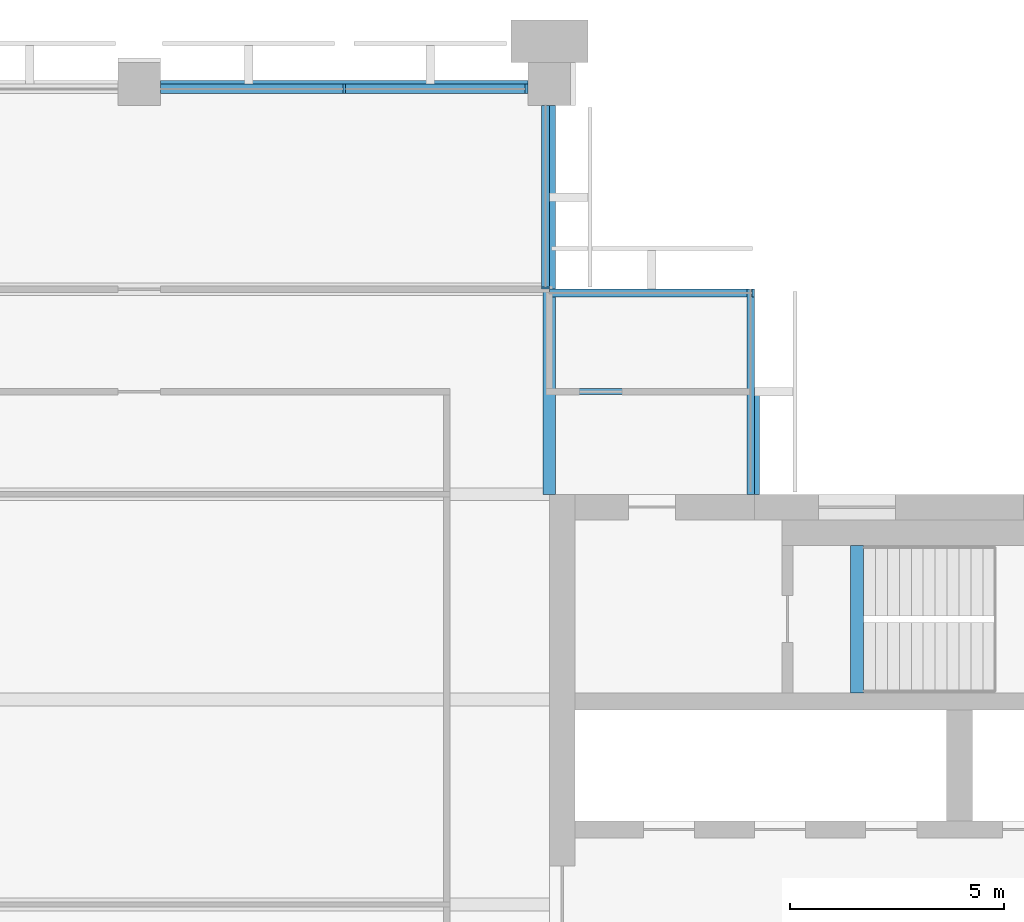
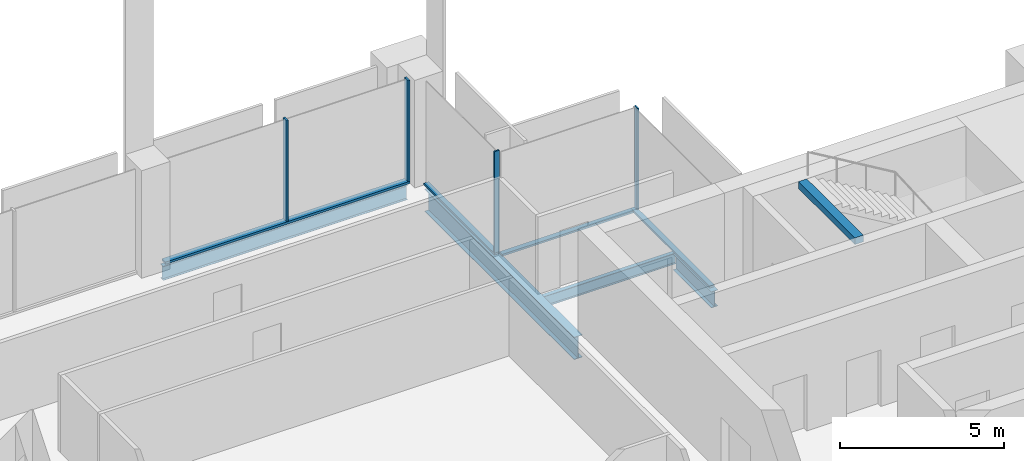
# One storey, part 6 of 12: 8 members, 5 beams, 4 elements without a shape of their own.
"""IFC4 building model written with IfcOpenShell, lengths in metres."""

from ifc_helpers import new_model, si_unit, direction, frame, origin, origin_2d, place, context, subcontext, project, spatial, rectangle, i_section, extrude, material, material_profile, profile_set, type_object, element, aggregate, save


model = new_model("IFC4")

# Units and contexts
model_context = context("Model", 3, precision=1e-05, world=origin(), true_north=direction((0.0, 1.0)))
body_context = subcontext(model_context, "Body", "Model", "MODEL_VIEW")
ifc_project = project(units=[si_unit("LENGTHUNIT", "METRE"), si_unit("AREAUNIT", "SQUARE_METRE"), si_unit("VOLUMEUNIT", "CUBIC_METRE"), si_unit("PLANEANGLEUNIT", "RADIAN"), si_unit("MASSUNIT", "GRAM", prefix="KILO")], contexts=[model_context])

# Site, building, storey
site_placement = place(None, origin())
site = spatial("IfcSite", under=ifc_project, at=site_placement, CompositionType="ELEMENT")
building_placement = place(site_placement, origin())
building = spatial("IfcBuilding", under=site, at=building_placement, Name="Baori Bourse Tower", CompositionType="ELEMENT")
storey_placement = place(building_placement, frame((0.0, 0.0, 342.300048828125)))
storey = spatial("IfcBuildingStorey", under=building, at=storey_placement, Name="L76", CompositionType="ELEMENT", Elevation=342.300048828125)

# Curtain wall, member
ifc_material_1 = material(Name="Pale anodised aluminium", Category="aluminium")
curtain_wall_type_1 = type_object("IfcCurtainWallType", Name="CW2 Curtain wall", PredefinedType="NOTDEFINED", material=ifc_material_1)
curtain_wall_1_placement = place(storey_placement, origin())
curtain_wall_1 = element("IfcCurtainWall", 1, at=curtain_wall_1_placement, inside=storey, type_object=curtain_wall_type_1, Name="Curtain wall CW2 L76 2", PredefinedType="NOTDEFINED")
ifc_material_2 = material(Name="Pale anodised aluminium", Category="aluminium")
ifc_material_profile_1 = material_profile(ifc_material_2, rectangle(XDim=0.179931640625, YDim=0.054931640625, at=origin_2d()), Name="Mullion 55x180")
ifc_profile_set_1 = profile_set([ifc_material_profile_1], Name="Pale anodised aluminium")
member_type_1 = type_object("IfcMemberType", Name="CW2 Curtain wall mullion", PredefinedType="MULLION", material=ifc_profile_set_1)
member_1_placement = place(storey_placement, frame((43.172607421875, 43.110107421875, 0.070068359375), z_axis=(0.0, 0.0, 1.0), x_axis=(0.0, -1.0, 0.0)))
member_1 = element("IfcMember", 2, at=member_1_placement, type_object=member_type_1, Name="Curtain wall CW2 mullion", PredefinedType="MULLION", context=body_context, shape_type="SweptSolid", body=[
    extrude(rectangle(XDim=0.179931640625, YDim=0.054931640625, at=origin_2d()), origin(), (0.0, 0.0, 1.0), 3.769775390625),
])

curtain_wall_2_placement = place(storey_placement, origin())
curtain_wall_2 = element("IfcCurtainWall", 3, at=curtain_wall_2_placement, inside=storey, type_object=curtain_wall_type_1, Name="Curtain wall CW2 L76 3", PredefinedType="NOTDEFINED")
member_2_placement = place(storey_placement, frame((38.31005859375, 43.2275390625, 0.070068359375), z_axis=(0.0, 0.0, 1.0), x_axis=(-1.0, 0.0, 0.0)))
member_2 = element("IfcMember", 4, at=member_2_placement, type_object=member_type_1, Name="Curtain wall CW2 mullion", PredefinedType="MULLION", context=body_context, shape_type="SweptSolid", body=[
    extrude(rectangle(XDim=0.179931640625, YDim=0.054931640625, at=origin_2d()), origin(), (0.0, 0.0, 1.0), 3.769775390625),
])

curtain_wall_3_placement = place(storey_placement, origin())
curtain_wall_3 = element("IfcCurtainWall", 5, at=curtain_wall_3_placement, inside=storey, type_object=curtain_wall_type_1, Name="Curtain wall CW2 L76 1", PredefinedType="NOTDEFINED")
ifc_material_3 = material(Name="Pale anodised aluminium", Category="aluminium")
ifc_material_profile_2 = material_profile(ifc_material_3, rectangle(XDim=0.179931640625, YDim=0.070068359375, at=origin_2d()), Name="Transom 70x180")
ifc_profile_set_2 = profile_set([ifc_material_profile_2], Name="Pale anodised aluminium")
member_type_2 = type_object("IfcMemberType", Name="CW2 Curtain wall transom", PredefinedType="USERDEFINED", material=ifc_profile_set_2)
member_3_placement = place(storey_placement, frame((43.110107421875, 38.39990234375, 0.034912109375), z_axis=(0.0, 1.0, 0.0), x_axis=(-1.0, 0.0, 0.0)))
member_3 = element("IfcMember", 6, at=member_3_placement, type_object=member_type_2, Name="Curtain wall CW2 sill rail", ObjectType="TRANSOM", PredefinedType="USERDEFINED", context=body_context, shape_type="SweptSolid", body=[
    extrude(rectangle(XDim=0.179931640625, YDim=0.070068359375, at=origin_2d()), origin(), (0.0, 0.0, 1.0), 4.800048828125),
])
aggregate(curtain_wall_3, [member_3])

# Member
member_4_placement = place(storey_placement, frame((43.199951171875, 43.110107421875, 0.034912109375), z_axis=(-1.0, 0.0, 0.0), x_axis=(0.0, -1.0, 0.0)))
member_4 = element("IfcMember", 7, at=member_4_placement, type_object=member_type_2, Name="Curtain wall CW2 sill rail", ObjectType="TRANSOM", PredefinedType="USERDEFINED", context=body_context, shape_type="SweptSolid", body=[
    extrude(rectangle(XDim=0.179931640625, YDim=0.070068359375, at=origin_2d()), origin(), (0.0, 0.0, 1.0), 4.800048828125),
])

aggregate(curtain_wall_1, [member_4, member_1])

member_5_placement = place(storey_placement, frame((38.31005859375, 43.199951171875, 0.034912109375), z_axis=(0.0, 1.0, 0.0), x_axis=(-1.0, 0.0, 0.0)))
member_5 = element("IfcMember", 8, at=member_5_placement, type_object=member_type_2, Name="Curtain wall CW2 sill rail", ObjectType="TRANSOM", PredefinedType="USERDEFINED", context=body_context, shape_type="SweptSolid", body=[
    extrude(rectangle(XDim=0.179931640625, YDim=0.070068359375, at=origin_2d()), origin(), (0.0, 0.0, 1.0), 4.300048828125),
])

aggregate(curtain_wall_2, [member_5, member_2])

# Curtain wall, members
ifc_material_4 = material(Name="Pale anodised aluminium", Category="aluminium")
curtain_wall_type_2 = type_object("IfcCurtainWallType", Name="CW5 Curtain wall", PredefinedType="NOTDEFINED", material=ifc_material_4)
curtain_wall_4_placement = place(storey_placement, origin())
curtain_wall_4 = element("IfcCurtainWall", 9, at=curtain_wall_4_placement, inside=storey, type_object=curtain_wall_type_2, Name="Curtain wall CW5 L76 4", PredefinedType="NOTDEFINED")
ifc_material_5 = material(Name="Pale anodised aluminium", Category="aluminium")
ifc_material_profile_3 = material_profile(ifc_material_5, rectangle(XDim=0.219970703125, YDim=0.06494140625, at=origin_2d()), Name="Mullion 65x220")
ifc_profile_set_3 = profile_set([ifc_material_profile_3], Name="Pale anodised aluminium")
member_type_3 = type_object("IfcMemberType", Name="CW5 Curtain wall mullion", PredefinedType="MULLION", material=ifc_profile_set_3)
member_6_placement = place(storey_placement, frame((37.867431640625, 47.889892578125, 0.0849609375), z_axis=(0.0, 0.0, 1.0), x_axis=(0.0, -1.0, 0.0)))
member_6 = element("IfcMember", 10, at=member_6_placement, type_object=member_type_3, Name="Curtain wall CW5 mullion", PredefinedType="MULLION", context=body_context, shape_type="SweptSolid", body=[
    extrude(rectangle(XDim=0.219970703125, YDim=0.06494140625, at=origin_2d()), origin(), (0.0, 0.0, 1.0), 3.7548828125),
])
member_7_placement = place(storey_placement, frame((33.60009765625, 47.889892578125, 0.0849609375), z_axis=(0.0, 0.0, 1.0), x_axis=(0.0, -1.0, 0.0)))
member_7 = element("IfcMember", 11, at=member_7_placement, type_object=member_type_3, Name="Curtain wall CW5 mullion", PredefinedType="MULLION", context=body_context, shape_type="SweptSolid", body=[
    extrude(rectangle(XDim=0.219970703125, YDim=0.06494140625, at=origin_2d()), origin(), (0.0, 0.0, 1.0), 3.7548828125),
])
ifc_material_6 = material(Name="Pale anodised aluminium", Category="aluminium")
ifc_material_profile_4 = material_profile(ifc_material_6, rectangle(XDim=0.219970703125, YDim=0.0849609375, at=origin_2d()), Name="Transom 85x220")
ifc_profile_set_4 = profile_set([ifc_material_profile_4], Name="Pale anodised aluminium")
member_type_4 = type_object("IfcMemberType", Name="CW5 Curtain wall transom", PredefinedType="USERDEFINED", material=ifc_profile_set_4)
member_8_placement = place(storey_placement, frame((37.89990234375, 47.889892578125, 0.04248046875), z_axis=(-1.0, 0.0, 0.0), x_axis=(0.0, -1.0, 0.0)))
member_8 = element("IfcMember", 12, at=member_8_placement, type_object=member_type_4, Name="Curtain wall CW5 sill rail", ObjectType="TRANSOM", PredefinedType="USERDEFINED", context=body_context, shape_type="SweptSolid", body=[
    extrude(rectangle(XDim=0.219970703125, YDim=0.0849609375, at=origin_2d()), origin(), (0.0, 0.0, 1.0), 8.599853515625),
])
aggregate(curtain_wall_4, [member_8, member_6, member_7])

# Beams
ifc_material_7 = material(Name="Steel A992 Gr 50", Category="steel")
ifc_material_profile_5 = material_profile(ifc_material_7, i_section(OverallWidth=0.227783203125, OverallDepth=0.60205078125, WebThickness=0.010498046875, FlangeThickness=0.014892578125, at=origin_2d()), Name="W24x68")
ifc_profile_set_5 = profile_set([ifc_material_profile_5], Name="Steel A992 Gr 50")
beam_type_1 = type_object("IfcBeamType", Name="Core bracket W24x68", PredefinedType="BEAM", material=ifc_profile_set_5)
beam_1_placement = place(storey_placement, frame((43.199951171875, 38.39990234375, -0.4609375), z_axis=(0.0, 1.0, 0.0), x_axis=(-1.0, 0.0, 0.0)))
element("IfcBeam", 13, at=beam_1_placement, inside=storey, type_object=beam_type_1, Name="Core bracket L76", PredefinedType="BEAM", context=body_context, shape_type="SweptSolid", body=[
    extrude(i_section(OverallWidth=0.227783203125, OverallDepth=0.60205078125, WebThickness=0.010498046875, FlangeThickness=0.014892578125, at=origin_2d()), origin(), (0.0, 0.0, 1.0), 2.329833984375),
])
ifc_material_8 = material(Name="Steel A992 Gr 50", Category="steel")
ifc_material_profile_6 = material_profile(ifc_material_8, i_section(OverallWidth=0.1650390625, OverallDepth=0.52587890625, WebThickness=0.0087890625, FlangeThickness=0.011474609375, at=origin_2d()), Name="W21x44")
ifc_profile_set_6 = profile_set([ifc_material_profile_6], Name="Steel A992 Gr 50")
beam_type_2 = type_object("IfcBeamType", Name="Edge beam W21x44", PredefinedType="BEAM", material=ifc_profile_set_6)
beam_2_placement = place(storey_placement, frame((29.300048828125, 48.0, -0.4228515625), z_axis=(1.0, 0.0, 0.0), x_axis=(0.0, 1.0, 0.0)))
element("IfcBeam", 14, at=beam_2_placement, inside=storey, type_object=beam_type_2, Name="Edge beam L76", PredefinedType="BEAM", context=body_context, shape_type="SweptSolid", body=[
    extrude(i_section(OverallWidth=0.1650390625, OverallDepth=0.52587890625, WebThickness=0.0087890625, FlangeThickness=0.011474609375, at=origin_2d()), origin(), (0.0, 0.0, 1.0), 8.599853515625),
])
ifc_material_9 = material(Name="Steel A992 Gr 50", Category="steel")
ifc_material_profile_7 = material_profile(ifc_material_9, i_section(OverallWidth=0.2919921875, OverallDepth=0.835693359375, WebThickness=0.013916015625, FlangeThickness=0.018798828125, at=origin_2d()), Name="W33x118")
ifc_profile_set_7 = profile_set([ifc_material_profile_7], Name="Steel A992 Gr 50")
beam_type_3 = type_object("IfcBeamType", Name="Girder W33x118", PredefinedType="BEAM", material=ifc_profile_set_7)
beam_3_placement = place(storey_placement, frame((38.39990234375, 38.39990234375, -0.577880859375), z_axis=(0.0, 1.0, 0.0), x_axis=(-1.0, 0.0, 0.0)))
element("IfcBeam", 15, at=beam_3_placement, inside=storey, type_object=beam_type_3, Name="Girder L76", PredefinedType="BEAM", context=body_context, shape_type="SweptSolid", body=[
    extrude(i_section(OverallWidth=0.2919921875, OverallDepth=0.835693359375, WebThickness=0.013916015625, FlangeThickness=0.018798828125, at=origin_2d()), origin(), (0.0, 0.0, 1.0), 9.10009765625),
])
ifc_material_10 = material(Name="Concrete f'c 50 MPa", Category="concrete")
ifc_material_profile_8 = material_profile(ifc_material_10, rectangle(XDim=0.300048828125, YDim=0.25, at=origin_2d()), Name="RC 300x250")
ifc_profile_set_8 = profile_set([ifc_material_profile_8], Name="Concrete f'c 50 MPa")
beam_type_4 = type_object("IfcBeamType", Name="Stair nib beam RC 300x250", PredefinedType="BEAM", material=ifc_profile_set_8)
beam_4_placement = place(storey_placement, frame((45.60009765625, 33.75, 3.71484375), z_axis=(0.0, 1.0, 0.0), x_axis=(-1.0, 0.0, 0.0)))
element("IfcBeam", 16, at=beam_4_placement, inside=storey, type_object=beam_type_4, Name="Stair EB nib beam L77", PredefinedType="BEAM", context=body_context, shape_type="SweptSolid", body=[
    extrude(rectangle(XDim=0.300048828125, YDim=0.25, at=origin_2d()), origin(), (0.0, 0.0, 1.0), 3.449951171875),
])
ifc_material_11 = material(Name="Steel A992 Gr 50", Category="steel")
ifc_material_profile_9 = material_profile(ifc_material_11, i_section(OverallWidth=0.140380859375, OverallDepth=0.40380859375, WebThickness=0.007080078125, FlangeThickness=0.01123046875, at=origin_2d()), Name="W16x31")
ifc_profile_set_9 = profile_set([ifc_material_profile_9], Name="Steel A992 Gr 50")
beam_type_5 = type_object("IfcBeamType", Name="Trimmer beam W16x31", PredefinedType="BEAM", material=ifc_profile_set_9)
beam_5_placement = place(storey_placement, frame((38.546142578125, 40.800048828125, -0.362060546875), z_axis=(1.0, 0.0, 0.0), x_axis=(0.0, 1.0, 0.0)))
element("IfcBeam", 17, at=beam_5_placement, inside=storey, type_object=beam_type_5, Name="Trimmer beam L76", PredefinedType="BEAM", context=body_context, shape_type="SweptSolid", body=[
    extrude(i_section(OverallWidth=0.140380859375, OverallDepth=0.40380859375, WebThickness=0.007080078125, FlangeThickness=0.01123046875, at=origin_2d()), origin(), (0.0, 0.0, 1.0), 4.65380859375),
])

save(model, "model.ifc")
